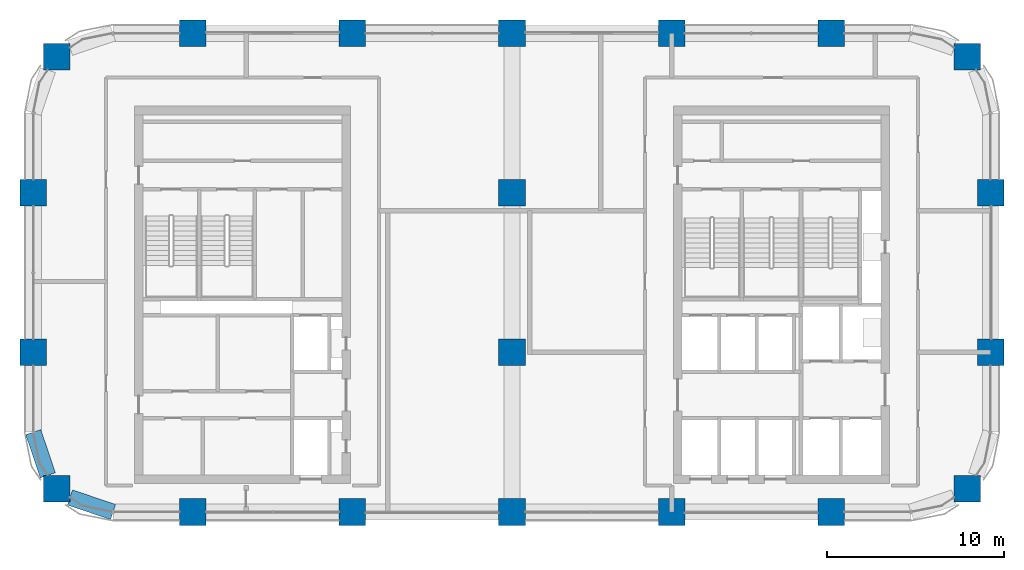
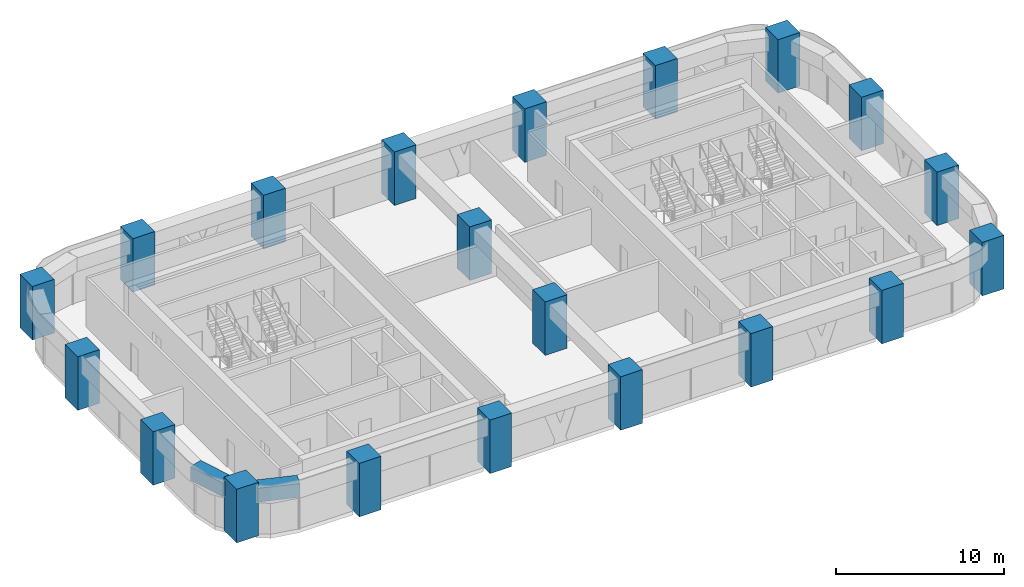
# One storey, part 1 of 14: 20 columns, 2 beams.
"""IFC4 building model written with IfcOpenShell, lengths in metres."""

import ifcopenshell
import ifcopenshell.guid

model = None  # the IFC model being written
_history = None  # IfcOwnerHistory: only IFC2X3 demands one
_inside = {}  # id of a spatial element -> (the spatial element, [elements in it])
_under = {}  # id of a project, library or spatial element -> (it, [spatial elements below it])
_declared = {}  # id of a project -> (the project, [libraries it declares])
_typed = {}  # id of a type object -> (the type object, [elements of that type])
_made_of = {}  # id of a material, layer set ... -> (it, [elements and type objects made of it])


def new_model(schema):
    """Start an empty IFC model of exactly this schema.

    Asked for "IFC4X3", IfcOpenShell would pick the latest addendum, in which some entities
    have other attributes; the version numbers below select the first issue.
    IFC2X3 requires an IfcOwnerHistory on every rooted entity: one is made here for all.
    """
    global model, _history
    if schema == "IFC4X3":
        model = ifcopenshell.file(schema_version=(4, 3, 0, 0))
    else:
        model = ifcopenshell.file(schema=schema)
    _inside.clear()
    _under.clear()
    _declared.clear()
    _typed.clear()
    _made_of.clear()
    _history = None
    if model.schema == "IFC2X3":
        org = make("IfcOrganization", Name="unknown")
        user = make(
            "IfcPersonAndOrganization",
            ThePerson=make("IfcPerson", FamilyName="unknown"),
            TheOrganization=org,
        )
        app = make(
            "IfcApplication",
            ApplicationDeveloper=org,
            Version="unknown",
            ApplicationFullName="unknown",
            ApplicationIdentifier="unknown",
        )
        _history = make(
            "IfcOwnerHistory",
            OwningUser=user,
            OwningApplication=app,
            ChangeAction="ADDED",
            CreationDate=0,
        )
    return model


def make(cls, **values):
    """One entity of the class cls with the attributes given. An attribute that is None is left unset."""
    return model.create_entity(
        cls, **{name: value for name, value in values.items() if value is not None}
    )


def rooted(cls, **values):
    """An entity with a GlobalId (a new one), such as an element, a storey or a relation."""
    return make(cls, GlobalId=ifcopenshell.guid.new(), OwnerHistory=_history, **values)


def si_unit(unit_type, name, prefix=None):
    """IfcSIUnit, for example si_unit("LENGTHUNIT", "METRE", prefix="MILLI")."""
    return make("IfcSIUnit", UnitType=unit_type, Prefix=prefix, Name=name)


def assignment(units):
    """IfcUnitAssignment: the units of a project."""
    return None if units is None else make("IfcUnitAssignment", Units=units)


def point(xyz):
    """IfcCartesianPoint."""
    return None if xyz is None else make("IfcCartesianPoint", Coordinates=xyz)


def direction(xyz):
    """IfcDirection."""
    return None if xyz is None else make("IfcDirection", DirectionRatios=xyz)


def frame(location, z_axis=None, x_axis=None):
    """IfcAxis2Placement3D, a coordinate frame: its origin and axes. An axis left out is left unset."""
    return make(
        "IfcAxis2Placement3D",
        Location=point(location),
        Axis=direction(z_axis),
        RefDirection=direction(x_axis),
    )


def frame_2d(location, x_axis=None):
    """IfcAxis2Placement2D, a coordinate frame in the plane: its origin and x axis."""
    return make(
        "IfcAxis2Placement2D", Location=point(location), RefDirection=direction(x_axis)
    )


def origin():
    """The frame at (0, 0, 0) with its axes left unset."""
    return frame((0.0, 0.0, 0.0))


def origin_2d():
    """The frame at (0, 0) in the plane with its x axis left unset."""
    return frame_2d((0.0, 0.0))


def place(relative_to, where):
    """IfcLocalPlacement: puts the frame where relative to a parent placement (None: the world)."""
    return make(
        "IfcLocalPlacement", PlacementRelTo=relative_to, RelativePlacement=where
    )


def context(
    kind, dimensions, precision=None, world=None, true_north=None, identifier=None
):
    """IfcGeometricRepresentationContext, for example the 3D "Model" context."""
    return make(
        "IfcGeometricRepresentationContext",
        ContextIdentifier=identifier,
        ContextType=kind,
        CoordinateSpaceDimension=dimensions,
        Precision=precision,
        WorldCoordinateSystem=world,
        TrueNorth=true_north,
    )


def subcontext(parent, identifier, kind, view, scale=None):
    """IfcGeometricRepresentationSubContext, for example "Body" below "Model"."""
    return make(
        "IfcGeometricRepresentationSubContext",
        ContextIdentifier=identifier,
        ContextType=kind,
        ParentContext=parent,
        TargetScale=scale,
        TargetView=view,
    )


def project(units=None, contexts=None):
    """IfcProject with its units and contexts."""
    return rooted(
        "IfcProject",
        Name="project",
        RepresentationContexts=contexts,
        UnitsInContext=assignment(units),
    )


def spatial(cls, under=None, at=None, **own):
    """A site, building, storey or space (cls), placed at a placement, below another one or the project."""
    s = rooted(cls, ObjectPlacement=at, **own)
    if under is not None:
        _under.setdefault(under.id(), (under, []))[1].append(s)
    return s


def profile(cls, at=None, kind="AREA", **sizes):
    """A parametric profile (cls). Its sizes go by their IFC names, for example OverallWidth=200.0."""
    return make(cls, ProfileType=kind, Position=at, **sizes)


def rectangle(**sizes):
    """IfcRectangleProfileDef."""
    return profile("IfcRectangleProfileDef", **sizes)


def extrude(swept, where, along, depth):
    """IfcExtrudedAreaSolid: the profile swept, set in the frame where, extruded along a direction by depth."""
    return make(
        "IfcExtrudedAreaSolid",
        SweptArea=swept,
        Position=where,
        ExtrudedDirection=direction(along),
        Depth=depth,
    )


def shape(context_of_items, identifier, shape_type, items):
    """IfcShapeRepresentation: the items that make up one representation, for example the "Body"."""
    return make(
        "IfcShapeRepresentation",
        ContextOfItems=context_of_items,
        RepresentationIdentifier=identifier,
        RepresentationType=shape_type,
        Items=items,
    )


def material(Name=None, Category=None):
    """IfcMaterial."""
    return make("IfcMaterial", Name=Name, Category=Category)


def material_profile(
    of_material, cross_section, Name=None, Category=None, Priority=None
):
    """IfcMaterialProfile: a cross section and its material."""
    return make(
        "IfcMaterialProfile",
        Name=Name,
        Material=of_material,
        Profile=cross_section,
        Priority=Priority,
        Category=Category,
    )


def profile_set(profiles, Name=None, composite=None):
    """IfcMaterialProfileSet."""
    return make(
        "IfcMaterialProfileSet",
        Name=Name,
        MaterialProfiles=profiles,
        CompositeProfile=composite,
    )


def made_of(thing, what):
    """Note that an element or type object is made of a material, layer set ...; save() writes the relation."""
    if what is not None:
        _made_of.setdefault(what.id(), (what, []))[1].append(thing)
    return thing


def type_object(cls, material=None, **own):
    """A type object (cls), such as IfcWallType, which elements share."""
    return made_of(rooted(cls, **own), material)


def element(
    cls,
    number,
    at=None,
    inside=None,
    cuts=None,
    type_object=None,
    material=None,
    context=None,
    identifier="Body",
    shape_type=None,
    held_by="IfcProductDefinitionShape",
    body=None,
    shapes=None,
    **own,
):
    """One element of the class cls, such as IfcWall. Its Tag is "e" and its number.

    at: its placement. inside: the storey or other place that contains it. cuts: it is an
    opening in that element (IfcRelVoidsElement). A single representation is given by context,
    identifier, shape_type and body (its items); several are given by shapes. held_by: the class
    of the entity that holds the representations. save() writes the other relations.
    """
    e = rooted(cls, Tag="e%d" % number, ObjectPlacement=at, **own)
    if body is not None:
        shapes = [shape(context, identifier, shape_type, body)]
    if shapes is not None:
        e.Representation = make(held_by, Representations=shapes)
    if inside is not None:
        _inside.setdefault(inside.id(), (inside, []))[1].append(e)
    if cuts is not None:
        rooted(
            "IfcRelVoidsElement", RelatingBuildingElement=cuts, RelatedOpeningElement=e
        )
    if type_object is not None:
        _typed.setdefault(type_object.id(), (type_object, []))[1].append(e)
    return made_of(e, material)


def aggregate(whole, parts):
    """IfcRelAggregates: a whole, such as a stair, and the parts it consists of."""
    return rooted("IfcRelAggregates", RelatingObject=whole, RelatedObjects=parts)


def save(model, path):
    """Write the relations noted so far, then the file.

    IfcRelAggregates (storeys below a building ...), IfcRelContainedInSpatialStructure (elements
    in a storey), IfcRelDefinesByType, IfcRelAssociatesMaterial and IfcRelDeclares: one each for
    every whole, place, type object, material and project.
    """
    for whole, parts in _under.values():
        aggregate(whole, parts)
    for where, things in _inside.values():
        rooted(
            "IfcRelContainedInSpatialStructure",
            RelatedElements=things,
            RelatingStructure=where,
        )
    for kind, things in _typed.values():
        rooted("IfcRelDefinesByType", RelatedObjects=things, RelatingType=kind)
    for what, things in _made_of.values():
        rooted("IfcRelAssociatesMaterial", RelatedObjects=things, RelatingMaterial=what)
    for by, libraries in _declared.values():
        rooted("IfcRelDeclares", RelatingContext=by, RelatedDefinitions=libraries)
    model.write(path)


model = new_model("IFC4")

# Units and contexts
model_context = context("Model", 3, precision=1e-05, world=origin(), true_north=direction((0.0, 1.0)))
body_context = subcontext(model_context, "Body", "Model", "MODEL_VIEW")
ifc_project = project(units=[si_unit("LENGTHUNIT", "METRE"), si_unit("AREAUNIT", "SQUARE_METRE"), si_unit("VOLUMEUNIT", "CUBIC_METRE"), si_unit("PLANEANGLEUNIT", "RADIAN"), si_unit("MASSUNIT", "GRAM", prefix="KILO")], contexts=[model_context])

# Site, building, storey
site_placement = place(None, origin())
site = spatial("IfcSite", under=ifc_project, at=site_placement, CompositionType="ELEMENT")
building_placement = place(site_placement, origin())
building = spatial("IfcBuilding", under=site, at=building_placement, Name="Tessera Arch", CompositionType="ELEMENT")
storey_placement = place(building_placement, frame((0.0, 0.0, 138.800048828125)))
storey = spatial("IfcBuildingStorey", under=building, at=storey_placement, Name="L32", CompositionType="ELEMENT", Elevation=138.800048828125)

# Columns
ifc_material_1 = material(Name="Concrete C70/85", Category="concrete")
ifc_material_profile_1 = material_profile(ifc_material_1, rectangle(XDim=1.5, YDim=1.5, at=origin_2d()), Name="RC column 1500 x 1500 Concrete C70/85")
ifc_profile_set_1 = profile_set([ifc_material_profile_1], Name="Concrete C70/85")
column_type = type_object("IfcColumnType", Name="RC column 1500 x 1500 Concrete C70/85", PredefinedType="COLUMN", material=ifc_profile_set_1)
for number, where, z_axis, x_axis, name in (
    (1, (1.318115234375, 28.318115234375, 0.0), (0.0, 0.0, 1.0), (1.0, 0.0, 0.0), "Column C1D L32"),
    (2, (0.0, 36.0, 0.0), (0.0, 0.0, 1.0), (1.0, 0.0, 0.0), "Column C1E L32"),
    (3, (0.0, 45.0, 0.0), (0.0, 0.0, 1.0), (1.0, 0.0, 0.0), "Column C1F L32"),
    (4, (1.318115234375, 52.681884765625, 0.0), (0.0, 0.0, 1.0), (1.0, 0.0, 0.0), "Column C1G L32"),
    (5, (9.0, 27.0, 0.0), (0.0, 0.0, 1.0), (1.0, 0.0, 0.0), "Column C2D L32"),
    (6, (9.0, 54.0, 0.0), (0.0, 0.0, 1.0), (1.0, 0.0, 0.0), "Column C2G L32"),
    (7, (18.0, 27.0, 0.0), (0.0, 0.0, 1.0), (1.0, 0.0, 0.0), "Column C3D L32"),
    (8, (18.0, 54.0, 0.0), (0.0, 0.0, 1.0), (1.0, 0.0, 0.0), "Column C3G L32"),
    (9, (27.0, 27.0, 0.0), (0.0, 0.0, 1.0), (1.0, 0.0, 0.0), "Column C4D L32"),
    (10, (27.0, 36.0, 0.0), (0.0, 0.0, 1.0), (1.0, 0.0, 0.0), "Column C4E L32"),
    (11, (27.0, 45.0, 0.0), (0.0, 0.0, 1.0), (1.0, 0.0, 0.0), "Column C4F L32"),
    (12, (27.0, 54.0, 0.0), (0.0, 0.0, 1.0), (1.0, 0.0, 0.0), "Column C4G L32"),
    (13, (36.0, 27.0, 0.0), (0.0, 0.0, 1.0), (1.0, 0.0, 0.0), "Column C5D L32"),
    (14, (36.0, 54.0, 0.0), (0.0, 0.0, 1.0), (1.0, 0.0, 0.0), "Column C5G L32"),
    (15, (45.0, 27.0, 0.0), (0.0, 0.0, 1.0), (1.0, 0.0, 0.0), "Column C6D L32"),
    (16, (45.0, 54.0, 0.0), (0.0, 0.0, 1.0), (1.0, 0.0, 0.0), "Column C6G L32"),
    (17, (52.681884765625, 28.318115234375, 0.0), (0.0, 0.0, 1.0), (1.0, 0.0, 0.0), "Column C7D L32"),
    (18, (54.0, 36.0, 0.0), (0.0, 0.0, 1.0), (1.0, 0.0, 0.0), "Column C7E L32"),
    (19, (54.0, 45.0, 0.0), (0.0, 0.0, 1.0), (1.0, 0.0, 0.0), "Column C7F L32"),
    (20, (52.681884765625, 52.681884765625, 0.0), (0.0, 0.0, 1.0), (1.0, 0.0, 0.0), "Column C7G L32"),
):
    element("IfcColumn", number, at=place(storey_placement, frame(where, z_axis=z_axis, x_axis=x_axis)), inside=storey, type_object=column_type, Name=name, PredefinedType="COLUMN", context=body_context, shape_type="SweptSolid", body=[
        extrude(rectangle(XDim=1.5, YDim=1.5, at=origin_2d()), origin(), (0.0, 0.0, 1.0), 3.89990234375),
    ])

# Beams
ifc_material_2 = material(Name="Concrete C70/85", Category="concrete")
ifc_material_profile_2 = material_profile(ifc_material_2, rectangle(XDim=0.89990234375, YDim=1.0, at=origin_2d()), Name="RC spandrel beam 900 x 1000 Concrete C70/85")
ifc_profile_set_2 = profile_set([ifc_material_profile_2], Name="Concrete C70/85")
beam_type = type_object("IfcBeamType", Name="RC spandrel beam 900 x 1000 Concrete C70/85", PredefinedType="BEAM", material=ifc_profile_set_2)
for number, where, z_axis, x_axis, name in (
    (21, (0.0, 31.5, 3.099853515625), (0.31842525032, -0.947947973234, 0.0), (0.947947973234, 0.31842525032, 0.0), "Spandrel beam L32 W0.27/2.2"),
    (22, (2.068115234375, 27.81689453125, 3.099853515625), (0.947947973234, -0.31842525032, 0.0), (0.31842525032, 0.947947973234, 0.0), "Spandrel beam L32 S27.0/0.1"),
):
    element("IfcBeam", number, at=place(storey_placement, frame(where, z_axis=z_axis, x_axis=x_axis)), inside=storey, type_object=beam_type, Name=name, PredefinedType="BEAM", context=body_context, shape_type="SweptSolid", body=[
        extrude(rectangle(XDim=0.89990234375, YDim=1.0, at=origin_2d()), origin(), (0.0, 0.0, 1.0), 2.5654296875),
    ])

save(model, "model.ifc")
